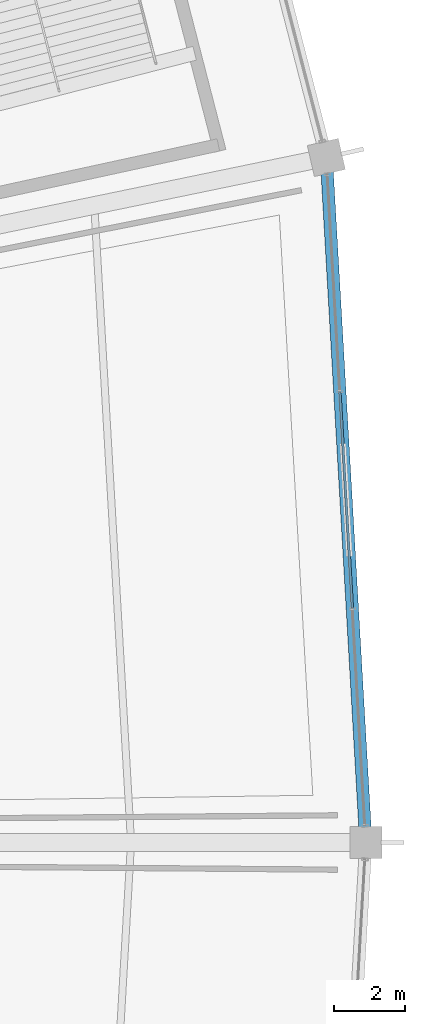
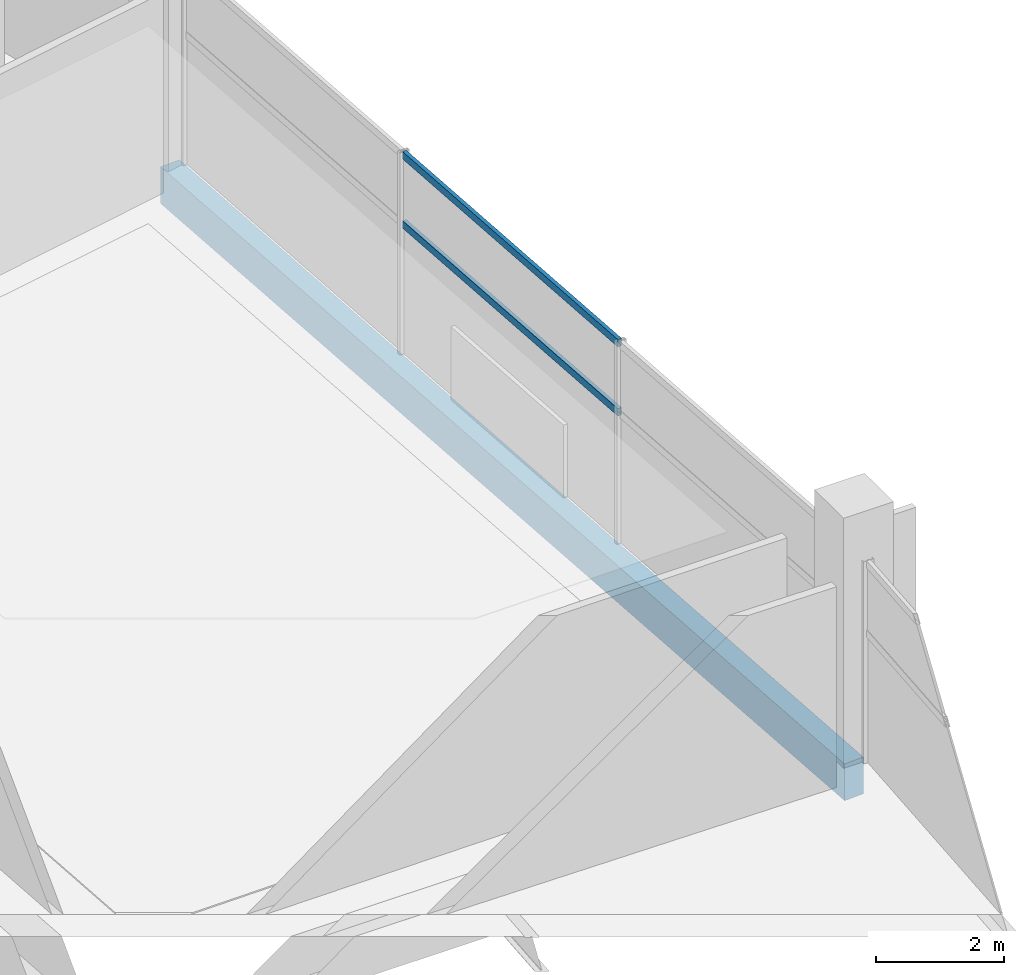
# One storey, part 63 of 156: 2 members, 1 beam, 1 element without a shape of its own.
"""IFC4 building model written with IfcOpenShell, lengths in metres."""

from ifc_helpers import new_model, si_unit, direction, frame, origin, origin_2d, place, context, subcontext, project, spatial, rectangle, hollow_rectangle, extrude, material, layer, layer_set, material_profile, profile_set, type_object, element, aggregate, save


model = new_model("IFC4")

# Units and contexts
model_context = context("Model", 3, precision=1e-05, world=origin(), true_north=direction((0.0, 1.0)))
body_context = subcontext(model_context, "Body", "Model", "MODEL_VIEW")
ifc_project = project(units=[si_unit("LENGTHUNIT", "METRE"), si_unit("AREAUNIT", "SQUARE_METRE"), si_unit("VOLUMEUNIT", "CUBIC_METRE"), si_unit("PLANEANGLEUNIT", "RADIAN"), si_unit("MASSUNIT", "GRAM", prefix="KILO")], contexts=[model_context])

# Site, building, storey
site_placement = place(None, origin())
site = spatial("IfcSite", under=ifc_project, at=site_placement, CompositionType="ELEMENT")
building_placement = place(site_placement, origin())
building = spatial("IfcBuilding", under=site, at=building_placement, Name="Kazemori Nagisa Stadium", CompositionType="ELEMENT")
storey_placement = place(building_placement, frame((0.0, 0.0, 5.780029296875)))
storey = spatial("IfcBuildingStorey", under=building, at=storey_placement, Name="L01", CompositionType="ELEMENT", Elevation=5.780029296875)

# Beam
ifc_material_1 = material(Name="Concrete C40/50 (Fc42)", Category="concrete")
ifc_material_profile_1 = material_profile(ifc_material_1, rectangle(XDim=0.35009765625, YDim=0.699951171875, at=origin_2d()), Name="RC-SP-350x700")
ifc_profile_set_1 = profile_set([ifc_material_profile_1], Name="Concrete C40/50 (Fc42)")
beam_type = type_object("IfcBeamType", Name="Beam_BS-RC350X700", PredefinedType="SPANDREL", material=ifc_profile_set_1)
beam_placement = place(storey_placement, frame((218.0, 102.0, -0.630126953125), z_axis=(-0.057598702622, 0.998339816624, 0.0), x_axis=(-0.998339816624, -0.057598702622, 0.0)))
element("IfcBeam", 1, at=beam_placement, inside=storey, type_object=beam_type, Name="Ring girder BS-RC350X700 L01 R3-01", PredefinedType="SPANDREL", context=body_context, shape_type="SweptSolid", body=[
    extrude(rectangle(XDim=0.35009765625, YDim=0.699951171875, at=origin_2d()), origin(), (0.0, 0.0, 1.0), 19.429931640625),
])

# Curtain wall, members
ifc_material_2 = material(Name="Anodised aluminium 6063-T5", Category="aluminium")
ifc_layer = layer(ifc_material_2, 0.179931640625, Name="Anodised aluminium 6063-T5", Category="aluminium")
ifc_layer_set = layer_set([ifc_layer], Name="Anodised aluminium 6063-T5")
curtain_wall_type = type_object("IfcCurtainWallType", Name="CW_L01R3_93", PredefinedType="USERDEFINED", material=ifc_layer_set)
curtain_wall_placement = place(storey_placement, origin())
curtain_wall = element("IfcCurtainWall", 2, at=curtain_wall_placement, inside=storey, type_object=curtain_wall_type, Name="Unitised curtain wall CW-L01R3-93 L01", ObjectType="UNITISED CURTAIN WALL", PredefinedType="USERDEFINED")
ifc_material_3 = material(Name="Aluminium 6063-T5 anodised", Category="aluminium")
ifc_material_profile_2 = material_profile(ifc_material_3, hollow_rectangle(XDim=0.070068359375, YDim=0.139892578125, WallThickness=0.00390625, at=origin_2d()), Name="ALU-TRAN-70x140x4")
ifc_profile_set_2 = profile_set([ifc_material_profile_2], Name="Aluminium 6063-T5 anodised")
member_type = type_object("IfcMemberType", Name="Transom_T01", PredefinedType="USERDEFINED", material=ifc_profile_set_2)
member_1_placement = place(storey_placement, frame((217.61669921875, 108.64404296875, 2.4638671875), z_axis=(-0.057606475429, 0.998339368145, 0.0), x_axis=(-0.998339368145, -0.057606475429, 0.0)))
member_1 = element("IfcMember", 3, at=member_1_placement, type_object=member_type, Name="Curtain wall transom CW-L01R3-93-T2-mid", ObjectType="TRANSOM", PredefinedType="USERDEFINED", context=body_context, shape_type="SweptSolid", body=[
    extrude(hollow_rectangle(XDim=0.070068359375, YDim=0.139892578125, WallThickness=0.00390625, at=origin_2d()), origin(), (0.0, 0.0, 1.0), 6.119873046875),
])
member_2_placement = place(storey_placement, frame((217.61669921875, 108.64404296875, 3.780029296875), z_axis=(-0.057606475429, 0.998339368145, 0.0), x_axis=(-0.998339368145, -0.057606475429, 0.0)))
member_2 = element("IfcMember", 4, at=member_2_placement, type_object=member_type, Name="Curtain wall transom CW-L01R3-93-T2-head", ObjectType="TRANSOM", PredefinedType="USERDEFINED", context=body_context, shape_type="SweptSolid", body=[
    extrude(hollow_rectangle(XDim=0.070068359375, YDim=0.139892578125, WallThickness=0.00390625, at=origin_2d()), origin(), (0.0, 0.0, 1.0), 6.119873046875),
])
aggregate(curtain_wall, [member_1, member_2])

save(model, "model.ifc")
